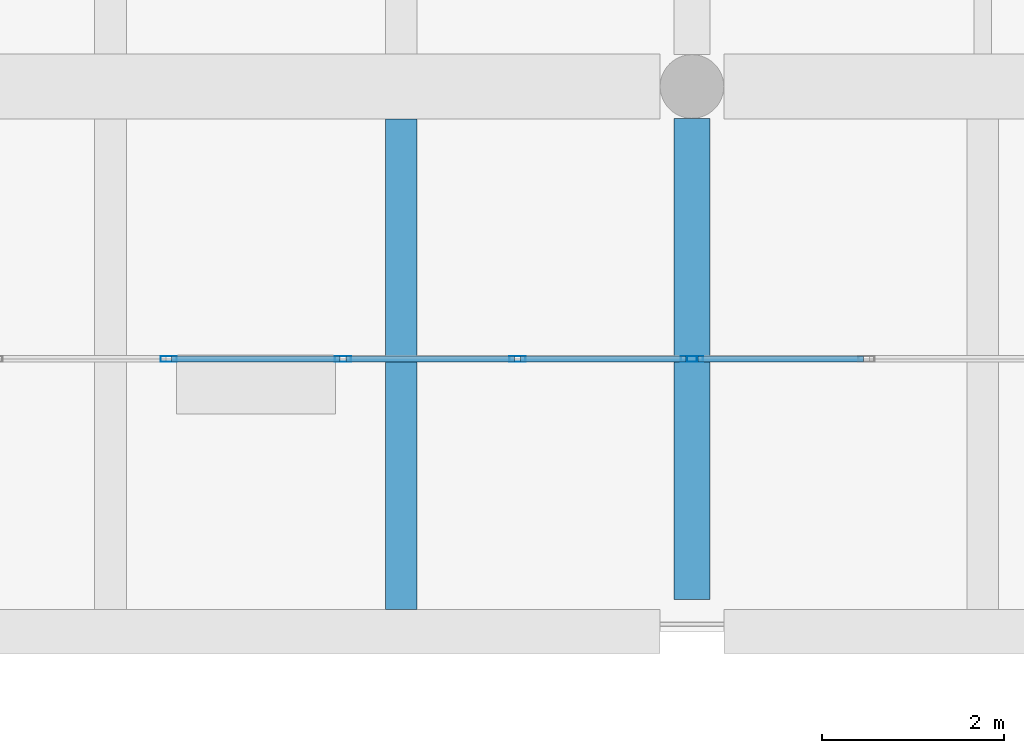
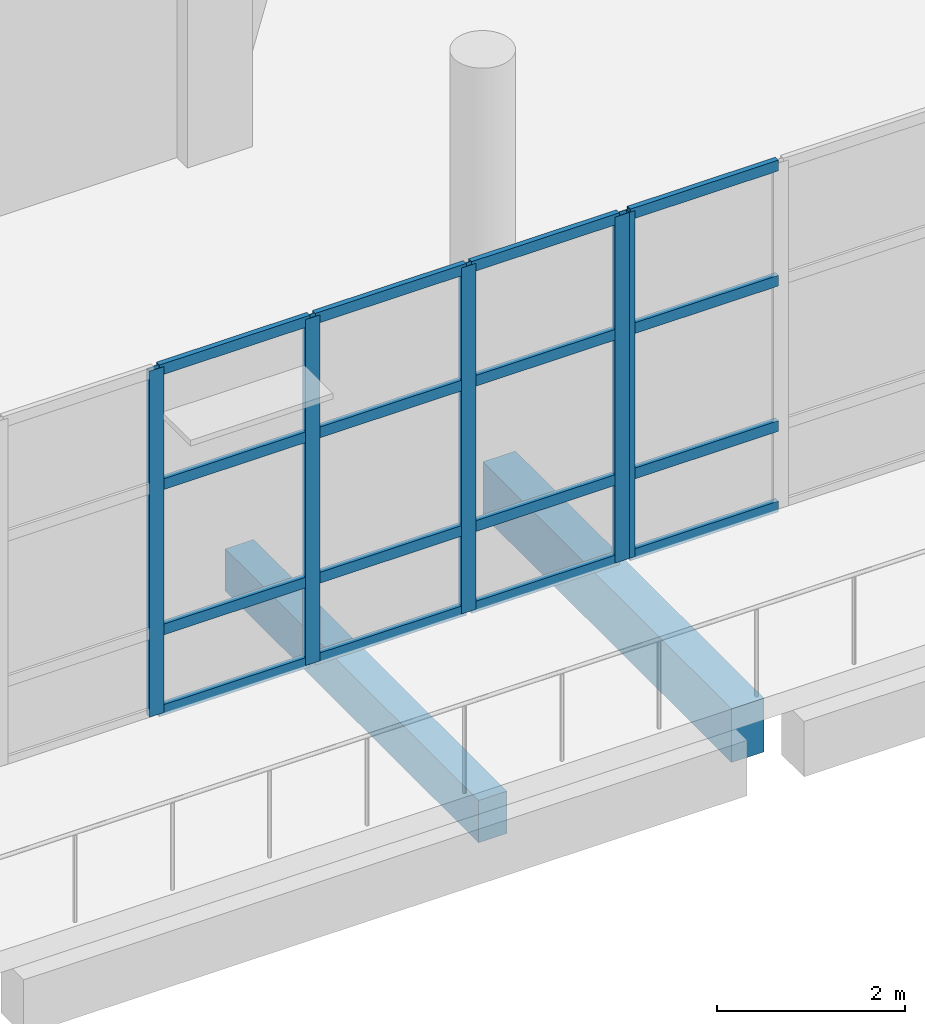
# One storey, part 18 of 79: 21 members, 2 beams, 2 elements without a shape of their own.
"""IFC4 building model written with IfcOpenShell, lengths in metres."""

from ifc_helpers import new_model, si_unit, direction, frame, origin, origin_2d, place, context, subcontext, project, spatial, rectangle, hollow_rectangle, extrude, material, material_profile, profile_set, type_object, element, aggregate, save


model = new_model("IFC4")

# Units and contexts
model_context = context("Model", 3, precision=1e-05, world=origin(), true_north=direction((0.0, 1.0)))
body_context = subcontext(model_context, "Body", "Model", "MODEL_VIEW")
ifc_project = project(units=[si_unit("LENGTHUNIT", "METRE"), si_unit("AREAUNIT", "SQUARE_METRE"), si_unit("VOLUMEUNIT", "CUBIC_METRE"), si_unit("PLANEANGLEUNIT", "RADIAN"), si_unit("MASSUNIT", "GRAM", prefix="KILO")], contexts=[model_context])

# Site, building, storey
site_placement = place(None, origin())
site = spatial("IfcSite", under=ifc_project, at=site_placement, CompositionType="ELEMENT")
building_placement = place(site_placement, origin())
building = spatial("IfcBuilding", under=site, at=building_placement, Name="Pellamere Symphony Hall", CompositionType="ELEMENT")
storey_placement = place(building_placement, frame((0.0, 0.0, 10.199951171875)))
storey = spatial("IfcBuildingStorey", under=building, at=storey_placement, Name="L02", CompositionType="ELEMENT", Elevation=10.199951171875)

# Curtain wall, members
ifc_material_1 = material(Name="Thermally Broken Anodised Aluminium 6063-T6 Curtain Wall", Category="aluminium")
curtain_wall_type = type_object("IfcCurtainWallType", Name="Curtain Wall CW-02 (Winter-Garden South Concourse Curtain Wall)", PredefinedType="NOTDEFINED", material=ifc_material_1)
curtain_wall_1_placement = place(storey_placement, origin())
curtain_wall_1 = element("IfcCurtainWall", 1, at=curtain_wall_1_placement, inside=storey, type_object=curtain_wall_type, Name="Winter-Garden South Curtain Wall (L02 Bay 10)", PredefinedType="NOTDEFINED")
ifc_material_2 = material(Name="Anodised Architectural Aluminium 6063-T6", Category="aluminium")
ifc_material_profile_1 = material_profile(ifc_material_2, hollow_rectangle(XDim=0.06494140625, YDim=0.179931640625, WallThickness=0.00390625, at=origin_2d()), Name="ALU-M65X180X4")
ifc_profile_set_1 = profile_set([ifc_material_profile_1], Name="Anodised Architectural Aluminium 6063-T6")
member_type_1 = type_object("IfcMemberType", Name="Curtain Wall Mullion ML-02 ALU-M65X180X4", PredefinedType="MULLION", material=ifc_profile_set_1)
member_1_placement = place(storey_placement, frame((113.0400390625, 21.0, 0.0), z_axis=(0.0, 0.0, 1.0), x_axis=(0.0, 1.0, 0.0)))
member_1 = element("IfcMember", 2, at=member_1_placement, type_object=member_type_1, Name="CW2-084 crystal mullion 3", PredefinedType="MULLION", context=body_context, shape_type="SweptSolid", body=[
    extrude(hollow_rectangle(XDim=0.06494140625, YDim=0.179931640625, WallThickness=0.00390625, at=origin_2d()), origin(), (0.0, 0.0, 1.0), 4.5),
])
member_2_placement = place(storey_placement, frame((114.9599609375, 21.0, 0.0), z_axis=(0.0, 0.0, 1.0), x_axis=(0.0, 1.0, 0.0)))
member_2 = element("IfcMember", 3, at=member_2_placement, type_object=member_type_1, Name="CW2-084 crystal mullion 4", PredefinedType="MULLION", context=body_context, shape_type="SweptSolid", body=[
    extrude(hollow_rectangle(XDim=0.06494140625, YDim=0.179931640625, WallThickness=0.00390625, at=origin_2d()), origin(), (0.0, 0.0, 1.0), 4.5),
])
member_3_placement = place(storey_placement, frame((116.8798828125, 21.0, 0.0), z_axis=(0.0, 0.0, 1.0), x_axis=(0.0, 1.0, 0.0)))
member_3 = element("IfcMember", 4, at=member_3_placement, type_object=member_type_1, Name="CW2-084 crystal mullion 5", PredefinedType="MULLION", context=body_context, shape_type="SweptSolid", body=[
    extrude(hollow_rectangle(XDim=0.06494140625, YDim=0.179931640625, WallThickness=0.00390625, at=origin_2d()), origin(), (0.0, 0.0, 1.0), 4.5),
])
member_4_placement = place(storey_placement, frame((118.767578125, 21.0, 0.0), z_axis=(0.0, 0.0, 1.0), x_axis=(0.0, 1.0, 0.0)))
member_4 = element("IfcMember", 5, at=member_4_placement, type_object=member_type_1, Name="CW2-084 crystal mullion 6", PredefinedType="MULLION", context=body_context, shape_type="SweptSolid", body=[
    extrude(hollow_rectangle(XDim=0.06494140625, YDim=0.179931640625, WallThickness=0.00390625, at=origin_2d()), origin(), (0.0, 0.0, 1.0), 4.5),
])

# Curtain wall, member
curtain_wall_2_placement = place(storey_placement, origin())
curtain_wall_2 = element("IfcCurtainWall", 6, at=curtain_wall_2_placement, inside=storey, type_object=curtain_wall_type, Name="Winter-Garden South Curtain Wall (L02 Bay 11)", PredefinedType="NOTDEFINED")
member_5_placement = place(storey_placement, frame((118.83251953125, 21.0, 0.0), z_axis=(0.0, 0.0, 1.0), x_axis=(0.0, 1.0, 0.0)))
member_5 = element("IfcMember", 7, at=member_5_placement, type_object=member_type_1, Name="CW2-085 crystal mullion 1", PredefinedType="MULLION", context=body_context, shape_type="SweptSolid", body=[
    extrude(hollow_rectangle(XDim=0.06494140625, YDim=0.179931640625, WallThickness=0.00390625, at=origin_2d()), origin(), (0.0, 0.0, 1.0), 4.5),
])

# Member
ifc_material_profile_2 = material_profile(ifc_material_2, hollow_rectangle(XDim=0.06494140625, YDim=0.139892578125, WallThickness=0.00390625, at=origin_2d()), Name="ALU-T65X140X4")
ifc_profile_set_2 = profile_set([ifc_material_profile_2], Name="Anodised Architectural Aluminium 6063-T6")
member_type_2 = type_object("IfcMemberType", Name="Curtain Wall Transom TR-02 ALU-T65X140X4", PredefinedType="USERDEFINED", material=ifc_profile_set_2)
member_6_placement = place(storey_placement, frame((113.072509765625, 21.0, 0.032470703125), z_axis=(1.0, 0.0, 0.0), x_axis=(0.0, 1.0, 0.0)))
member_6 = element("IfcMember", 8, at=member_6_placement, type_object=member_type_2, Name="CW2-084 crystal transom 3.1", ObjectType="TRANSOM", PredefinedType="USERDEFINED", context=body_context, shape_type="SweptSolid", body=[
    extrude(hollow_rectangle(XDim=0.06494140625, YDim=0.139892578125, WallThickness=0.00390625, at=origin_2d()), origin(), (0.0, 0.0, 1.0), 1.85498046875),
])

member_7_placement = place(storey_placement, frame((113.072509765625, 21.0, 1.080078125), z_axis=(1.0, 0.0, 0.0), x_axis=(0.0, 1.0, 0.0)))
member_7 = element("IfcMember", 9, at=member_7_placement, type_object=member_type_2, Name="CW2-084 crystal transom 3.2", ObjectType="TRANSOM", PredefinedType="USERDEFINED", context=body_context, shape_type="SweptSolid", body=[
    extrude(hollow_rectangle(XDim=0.06494140625, YDim=0.139892578125, WallThickness=0.00390625, at=origin_2d()), origin(), (0.0, 0.0, 1.0), 1.85498046875),
])

member_8_placement = place(storey_placement, frame((113.072509765625, 21.0, 2.969970703125), z_axis=(1.0, 0.0, 0.0), x_axis=(0.0, 1.0, 0.0)))
member_8 = element("IfcMember", 10, at=member_8_placement, type_object=member_type_2, Name="CW2-084 crystal transom 3.3", ObjectType="TRANSOM", PredefinedType="USERDEFINED", context=body_context, shape_type="SweptSolid", body=[
    extrude(hollow_rectangle(XDim=0.06494140625, YDim=0.139892578125, WallThickness=0.00390625, at=origin_2d()), origin(), (0.0, 0.0, 1.0), 1.85498046875),
])

member_9_placement = place(storey_placement, frame((113.072509765625, 21.0, 4.467529296875), z_axis=(1.0, 0.0, 0.0), x_axis=(0.0, 1.0, 0.0)))
member_9 = element("IfcMember", 11, at=member_9_placement, type_object=member_type_2, Name="CW2-084 crystal transom 3.4", ObjectType="TRANSOM", PredefinedType="USERDEFINED", context=body_context, shape_type="SweptSolid", body=[
    extrude(hollow_rectangle(XDim=0.06494140625, YDim=0.139892578125, WallThickness=0.00390625, at=origin_2d()), origin(), (0.0, 0.0, 1.0), 1.85498046875),
])

member_10_placement = place(storey_placement, frame((114.992431640625, 21.0, 0.032470703125), z_axis=(1.0, 0.0, 0.0), x_axis=(0.0, 1.0, 0.0)))
member_10 = element("IfcMember", 12, at=member_10_placement, type_object=member_type_2, Name="CW2-084 crystal transom 4.1", ObjectType="TRANSOM", PredefinedType="USERDEFINED", context=body_context, shape_type="SweptSolid", body=[
    extrude(hollow_rectangle(XDim=0.06494140625, YDim=0.139892578125, WallThickness=0.00390625, at=origin_2d()), origin(), (0.0, 0.0, 1.0), 1.85498046875),
])

member_11_placement = place(storey_placement, frame((114.992431640625, 21.0, 1.080078125), z_axis=(1.0, 0.0, 0.0), x_axis=(0.0, 1.0, 0.0)))
member_11 = element("IfcMember", 13, at=member_11_placement, type_object=member_type_2, Name="CW2-084 crystal transom 4.2", ObjectType="TRANSOM", PredefinedType="USERDEFINED", context=body_context, shape_type="SweptSolid", body=[
    extrude(hollow_rectangle(XDim=0.06494140625, YDim=0.139892578125, WallThickness=0.00390625, at=origin_2d()), origin(), (0.0, 0.0, 1.0), 1.85498046875),
])

member_12_placement = place(storey_placement, frame((114.992431640625, 21.0, 2.969970703125), z_axis=(1.0, 0.0, 0.0), x_axis=(0.0, 1.0, 0.0)))
member_12 = element("IfcMember", 14, at=member_12_placement, type_object=member_type_2, Name="CW2-084 crystal transom 4.3", ObjectType="TRANSOM", PredefinedType="USERDEFINED", context=body_context, shape_type="SweptSolid", body=[
    extrude(hollow_rectangle(XDim=0.06494140625, YDim=0.139892578125, WallThickness=0.00390625, at=origin_2d()), origin(), (0.0, 0.0, 1.0), 1.85498046875),
])

member_13_placement = place(storey_placement, frame((114.992431640625, 21.0, 4.467529296875), z_axis=(1.0, 0.0, 0.0), x_axis=(0.0, 1.0, 0.0)))
member_13 = element("IfcMember", 15, at=member_13_placement, type_object=member_type_2, Name="CW2-084 crystal transom 4.4", ObjectType="TRANSOM", PredefinedType="USERDEFINED", context=body_context, shape_type="SweptSolid", body=[
    extrude(hollow_rectangle(XDim=0.06494140625, YDim=0.139892578125, WallThickness=0.00390625, at=origin_2d()), origin(), (0.0, 0.0, 1.0), 1.85498046875),
])

member_14_placement = place(storey_placement, frame((116.91259765625, 21.0, 0.032470703125), z_axis=(1.0, 0.0, 0.0), x_axis=(0.0, 1.0, 0.0)))
member_14 = element("IfcMember", 16, at=member_14_placement, type_object=member_type_2, Name="CW2-084 crystal transom 5.1", ObjectType="TRANSOM", PredefinedType="USERDEFINED", context=body_context, shape_type="SweptSolid", body=[
    extrude(hollow_rectangle(XDim=0.06494140625, YDim=0.139892578125, WallThickness=0.00390625, at=origin_2d()), origin(), (0.0, 0.0, 1.0), 1.822509765625),
])

member_15_placement = place(storey_placement, frame((116.91259765625, 21.0, 1.080078125), z_axis=(1.0, 0.0, 0.0), x_axis=(0.0, 1.0, 0.0)))
member_15 = element("IfcMember", 17, at=member_15_placement, type_object=member_type_2, Name="CW2-084 crystal transom 5.2", ObjectType="TRANSOM", PredefinedType="USERDEFINED", context=body_context, shape_type="SweptSolid", body=[
    extrude(hollow_rectangle(XDim=0.06494140625, YDim=0.139892578125, WallThickness=0.00390625, at=origin_2d()), origin(), (0.0, 0.0, 1.0), 1.822509765625),
])

member_16_placement = place(storey_placement, frame((116.91259765625, 21.0, 2.969970703125), z_axis=(1.0, 0.0, 0.0), x_axis=(0.0, 1.0, 0.0)))
member_16 = element("IfcMember", 18, at=member_16_placement, type_object=member_type_2, Name="CW2-084 crystal transom 5.3", ObjectType="TRANSOM", PredefinedType="USERDEFINED", context=body_context, shape_type="SweptSolid", body=[
    extrude(hollow_rectangle(XDim=0.06494140625, YDim=0.139892578125, WallThickness=0.00390625, at=origin_2d()), origin(), (0.0, 0.0, 1.0), 1.822509765625),
])

member_17_placement = place(storey_placement, frame((116.91259765625, 21.0, 4.467529296875), z_axis=(1.0, 0.0, 0.0), x_axis=(0.0, 1.0, 0.0)))
member_17 = element("IfcMember", 19, at=member_17_placement, type_object=member_type_2, Name="CW2-084 crystal transom 5.4", ObjectType="TRANSOM", PredefinedType="USERDEFINED", context=body_context, shape_type="SweptSolid", body=[
    extrude(hollow_rectangle(XDim=0.06494140625, YDim=0.139892578125, WallThickness=0.00390625, at=origin_2d()), origin(), (0.0, 0.0, 1.0), 1.822509765625),
])

aggregate(curtain_wall_1, [member_1, member_2, member_3, member_4, member_6, member_7, member_8, member_9, member_10, member_11, member_12, member_13, member_14, member_15, member_16, member_17])

member_18_placement = place(storey_placement, frame((118.864990234375, 21.0, 0.032470703125), z_axis=(1.0, 0.0, 0.0), x_axis=(0.0, 1.0, 0.0)))
member_18 = element("IfcMember", 20, at=member_18_placement, type_object=member_type_2, Name="CW2-085 crystal transom 1.1", ObjectType="TRANSOM", PredefinedType="USERDEFINED", context=body_context, shape_type="SweptSolid", body=[
    extrude(hollow_rectangle(XDim=0.06494140625, YDim=0.139892578125, WallThickness=0.00390625, at=origin_2d()), origin(), (0.0, 0.0, 1.0), 1.822509765625),
])

member_19_placement = place(storey_placement, frame((118.864990234375, 21.0, 1.080078125), z_axis=(1.0, 0.0, 0.0), x_axis=(0.0, 1.0, 0.0)))
member_19 = element("IfcMember", 21, at=member_19_placement, type_object=member_type_2, Name="CW2-085 crystal transom 1.2", ObjectType="TRANSOM", PredefinedType="USERDEFINED", context=body_context, shape_type="SweptSolid", body=[
    extrude(hollow_rectangle(XDim=0.06494140625, YDim=0.139892578125, WallThickness=0.00390625, at=origin_2d()), origin(), (0.0, 0.0, 1.0), 1.822509765625),
])

member_20_placement = place(storey_placement, frame((118.864990234375, 21.0, 2.969970703125), z_axis=(1.0, 0.0, 0.0), x_axis=(0.0, 1.0, 0.0)))
member_20 = element("IfcMember", 22, at=member_20_placement, type_object=member_type_2, Name="CW2-085 crystal transom 1.3", ObjectType="TRANSOM", PredefinedType="USERDEFINED", context=body_context, shape_type="SweptSolid", body=[
    extrude(hollow_rectangle(XDim=0.06494140625, YDim=0.139892578125, WallThickness=0.00390625, at=origin_2d()), origin(), (0.0, 0.0, 1.0), 1.822509765625),
])

member_21_placement = place(storey_placement, frame((118.864990234375, 21.0, 4.467529296875), z_axis=(1.0, 0.0, 0.0), x_axis=(0.0, 1.0, 0.0)))
member_21 = element("IfcMember", 23, at=member_21_placement, type_object=member_type_2, Name="CW2-085 crystal transom 1.4", ObjectType="TRANSOM", PredefinedType="USERDEFINED", context=body_context, shape_type="SweptSolid", body=[
    extrude(hollow_rectangle(XDim=0.06494140625, YDim=0.139892578125, WallThickness=0.00390625, at=origin_2d()), origin(), (0.0, 0.0, 1.0), 1.822509765625),
])

aggregate(curtain_wall_2, [member_5, member_18, member_19, member_20, member_21])

# Beams
ifc_material_3 = material(Name="Concrete 35 MPa", Category="concrete")
ifc_material_profile_3 = material_profile(ifc_material_3, rectangle(XDim=0.35009765625, YDim=0.550048828125, at=origin_2d()), Name="RC 350x550")
ifc_profile_set_3 = profile_set([ifc_material_profile_3], Name="Concrete 35 MPa")
beam_type_1 = type_object("IfcBeamType", Name="RC CB-10 350x550", PredefinedType="BEAM", material=ifc_profile_set_3)
beam_1_placement = place(storey_placement, frame((115.60009765625, 18.239990234375, -0.570068359375), z_axis=(0.0, 1.0, 0.0), x_axis=(-1.0, 0.0, 0.0)))
element("IfcBeam", 24, at=beam_1_placement, inside=storey, type_object=beam_type_1, Name="Secondary Floor Beam CB-10-B1402 (L02)", PredefinedType="BEAM", context=body_context, shape_type="SweptSolid", body=[
    extrude(rectangle(XDim=0.35009765625, YDim=0.550048828125, at=origin_2d()), origin(), (0.0, 0.0, 1.0), 5.39990234375),
])
ifc_material_4 = material(Name="Concrete 40 MPa", Category="concrete")
ifc_material_profile_4 = material_profile(ifc_material_4, rectangle(XDim=0.39990234375, YDim=0.699951171875, at=origin_2d()), Name="RC 400x700")
ifc_profile_set_4 = profile_set([ifc_material_profile_4], Name="Concrete 40 MPa")
beam_type_2 = type_object("IfcBeamType", Name="RC CB-13 400x700", PredefinedType="SPANDREL", material=ifc_profile_set_4)
beam_2_placement = place(storey_placement, frame((118.800048828125, 18.35009765625, -0.6298828125), z_axis=(0.0, 1.0, 0.0), x_axis=(-1.0, 0.0, 0.0)))
element("IfcBeam", 25, at=beam_2_placement, inside=storey, type_object=beam_type_2, Name="Girder CB-13-Y1326 (L02)", PredefinedType="SPANDREL", context=body_context, shape_type="SweptSolid", body=[
    extrude(rectangle(XDim=0.39990234375, YDim=0.699951171875, at=origin_2d()), origin(), (0.0, 0.0, 1.0), 5.2998046875),
])

save(model, "model.ifc")
